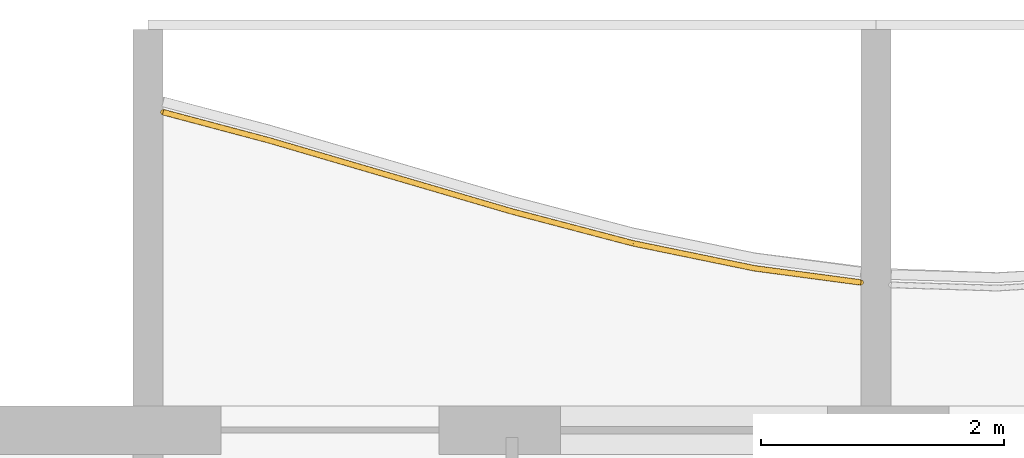
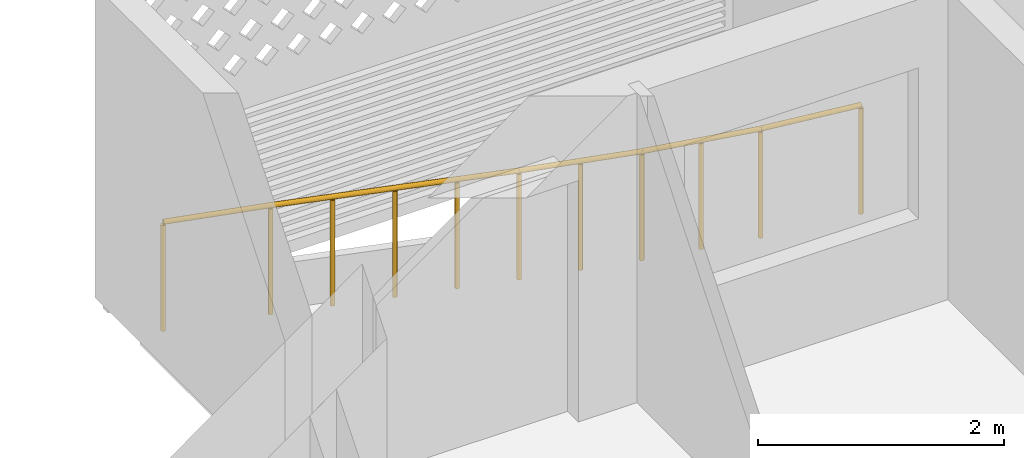
# One storey, part 16 of 27: 1 railing.
"""IFC4 building model written with IfcOpenShell, lengths in metres."""

from ifc_helpers import new_model, si_unit, direction, frame, origin, origin_2d, place, context, subcontext, project, spatial, circle, extrude, material, type_object, element, save


model = new_model("IFC4")

# Units and contexts
model_context = context("Model", 3, precision=1e-05, world=origin(), true_north=direction((0.0, 1.0)))
body_context = subcontext(model_context, "Body", "Model", "MODEL_VIEW")
ifc_project = project(units=[si_unit("LENGTHUNIT", "METRE"), si_unit("AREAUNIT", "SQUARE_METRE"), si_unit("VOLUMEUNIT", "CUBIC_METRE"), si_unit("PLANEANGLEUNIT", "RADIAN"), si_unit("MASSUNIT", "GRAM", prefix="KILO")], contexts=[model_context])

# Site, building, storey
site_placement = place(None, origin())
site = spatial("IfcSite", under=ifc_project, at=site_placement, CompositionType="ELEMENT")
building_placement = place(site_placement, origin())
building = spatial("IfcBuilding", under=site, at=building_placement, Name="Poui Terraces", CompositionType="ELEMENT")
storey_placement = place(building_placement, frame((0.0, 0.0, 191.699951171875)))
storey = spatial("IfcBuildingStorey", under=building, at=storey_placement, Name="L53", CompositionType="ELEMENT", Elevation=191.699951171875)

# Railing
ifc_material = material(Name="Painted steel fretwork", Category="steel")
railing_type = type_object("IfcRailingType", Name="BALCONY GUARD 1100", PredefinedType="GUARDRAIL", material=ifc_material)
railing_placement = place(storey_placement, frame((24.125, 43.820556640625, 0.0)))
element("IfcRailing", 1, at=railing_placement, inside=storey, type_object=railing_type, Name="BALCONY GUARD", PredefinedType="GUARDRAIL", context=body_context, shape_type="SweptSolid", body=[
    extrude(circle(Radius=0.02392578125, at=origin_2d()), frame((0.0, 0.0, 1.076171875), z_axis=(0.966418189442, -0.256974479503, 0.0), x_axis=(0.256974479503, 0.966418189442, 0.0)), (0.0, 0.0, 1.0), 0.905517578125),
    extrude(circle(Radius=0.02392578125, at=origin_2d()), frame((0.875, -0.232666015625, 1.076171875), z_axis=(0.959663427085, -0.281151394654, 0.0), x_axis=(0.281151394654, 0.959663427085, 0.0)), (0.0, 0.0, 1.0), 1.0419921875),
    extrude(circle(Radius=0.02392578125, at=origin_2d()), frame((1.875, -0.525634765625, 1.076171875), z_axis=(0.959726621702, -0.280935600444, 0.0), x_axis=(0.280935600444, 0.959726621702, 0.0)), (0.0, 0.0, 1.0), 1.0419921875),
    extrude(circle(Radius=0.02392578125, at=origin_2d()), frame((2.875, -0.818359375, 1.076171875), z_axis=(0.967126511287, -0.25429571598, 0.0), x_axis=(0.25429571598, 0.967126511287, 0.0)), (0.0, 0.0, 1.0), 1.033935546875),
    extrude(circle(Radius=0.02392578125, at=origin_2d()), frame((3.875, -1.081298828125, 1.076171875), z_axis=(0.979518122884, -0.201356020378, 0.0), x_axis=(0.201356020378, 0.979518122884, 0.0)), (0.0, 0.0, 1.0), 1.02099609375),
    extrude(circle(Radius=0.02392578125, at=origin_2d()), frame((4.875, -1.286865234375, 1.076171875), z_axis=(0.991295408391, -0.131656421427, 0.0), x_axis=(0.131656421427, 0.991295408391, 0.0)), (0.0, 0.0, 1.0), 0.882568359375),
    extrude(circle(Radius=0.02099609375, at=origin_2d()), origin(), (0.0, 0.0, 1.0), 1.052001953125),
    extrude(circle(Radius=0.02099609375, at=origin_2d()), frame((0.875, -0.232666015625, 0.0)), (0.0, 0.0, 1.0), 1.052001953125),
    extrude(circle(Radius=0.02099609375, at=origin_2d()), frame((1.375, -0.379150390625, 0.0)), (0.0, 0.0, 1.0), 1.052001953125),
    extrude(circle(Radius=0.02099609375, at=origin_2d()), frame((1.875, -0.525634765625, 0.0)), (0.0, 0.0, 1.0), 1.052001953125),
    extrude(circle(Radius=0.02099609375, at=origin_2d()), frame((2.375, -0.671875, 0.0)), (0.0, 0.0, 1.0), 1.052001953125),
    extrude(circle(Radius=0.02099609375, at=origin_2d()), frame((2.875, -0.818359375, 0.0)), (0.0, 0.0, 1.0), 1.052001953125),
    extrude(circle(Radius=0.02099609375, at=origin_2d()), frame((3.375, -0.94970703125, 0.0)), (0.0, 0.0, 1.0), 1.052001953125),
    extrude(circle(Radius=0.02099609375, at=origin_2d()), frame((3.875, -1.081298828125, 0.0)), (0.0, 0.0, 1.0), 1.052001953125),
    extrude(circle(Radius=0.02099609375, at=origin_2d()), frame((4.375, -1.18408203125, 0.0)), (0.0, 0.0, 1.0), 1.052001953125),
    extrude(circle(Radius=0.02099609375, at=origin_2d()), frame((4.875, -1.286865234375, 0.0)), (0.0, 0.0, 1.0), 1.052001953125),
    extrude(circle(Radius=0.02099609375, at=origin_2d()), frame((5.75, -1.403076171875, 0.0)), (0.0, 0.0, 1.0), 1.052001953125),
])

save(model, "model.ifc")
